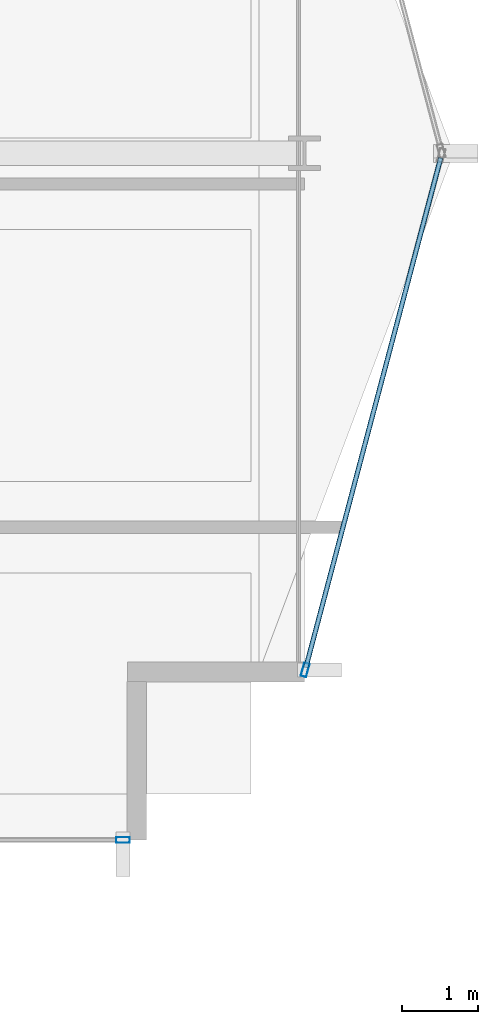
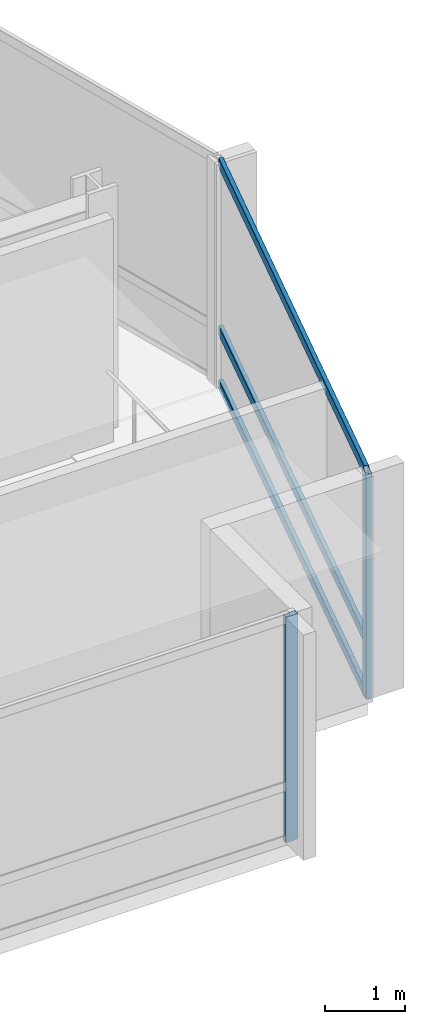
# One storey, part 11 of 29: 5 members, 2 elements without a shape of their own.
"""IFC4 building model written with IfcOpenShell, lengths in metres."""

from ifc_helpers import new_model, si_unit, direction, frame, origin, origin_2d, place, context, subcontext, project, spatial, hollow_rectangle, extrude, material, layer, layer_set, material_profile, profile_set, type_object, element, aggregate, save


model = new_model("IFC4")

# Units and contexts
model_context = context("Model", 3, precision=1e-05, world=origin(), true_north=direction((0.0, 1.0)))
body_context = subcontext(model_context, "Body", "Model", "MODEL_VIEW")
ifc_project = project(units=[si_unit("LENGTHUNIT", "METRE"), si_unit("AREAUNIT", "SQUARE_METRE"), si_unit("VOLUMEUNIT", "CUBIC_METRE"), si_unit("PLANEANGLEUNIT", "RADIAN"), si_unit("MASSUNIT", "GRAM", prefix="KILO")], contexts=[model_context])

# Site, building, storey
site_placement = place(None, origin())
site = spatial("IfcSite", under=ifc_project, at=site_placement, CompositionType="ELEMENT")
building_placement = place(site_placement, origin())
building = spatial("IfcBuilding", under=site, at=building_placement, Name="Solvaryn Broadcast Tower", CompositionType="ELEMENT")
storey_placement = place(building_placement, frame((0.0, 0.0, 124.800048828125)))
storey = spatial("IfcBuildingStorey", under=building, at=storey_placement, Name="L30", CompositionType="ELEMENT", Elevation=124.800048828125)

# Curtain wall, member
ifc_material_1 = material(Name="Aluminium and Terracotta Unitised Curtain Wall", Category="masonry")
ifc_layer = layer(ifc_material_1, 0.199951171875)
ifc_layer_set = layer_set([ifc_layer], Name="CW-SYS2-LOWMID")
curtain_wall_type = type_object("IfcCurtainWallType", Name="CW-SYS2-LOWMID", PredefinedType="NOTDEFINED", material=ifc_layer_set)
curtain_wall_1_placement = place(storey_placement, origin())
curtain_wall_1 = element("IfcCurtainWall", 1, at=curtain_wall_1_placement, inside=storey, type_object=curtain_wall_type, Name="L30 Curtain Wall S2", PredefinedType="NOTDEFINED")
ifc_material_2 = material(Name="Anodised Aluminium 6063-T6", Category="aluminium")
ifc_material_profile_1 = material_profile(ifc_material_2, hollow_rectangle(XDim=0.074951171875, YDim=0.179931640625, WallThickness=0.00390625, InnerFilletRadius=0.00390625, OuterFilletRadius=0.008056640625, at=origin_2d()))
ifc_profile_set_1 = profile_set([ifc_material_profile_1], Name="Anodised Aluminium 6063-T6")
member_type_1 = type_object("IfcMemberType", Name="CW-MUL-180", PredefinedType="MULLION", material=ifc_profile_set_1)
member_1_placement = place(storey_placement, frame((51.6201171875, 9.0, 0.0), z_axis=(0.0, 0.0, 1.0), x_axis=(0.0, 1.0, 0.0)))
member_1 = element("IfcMember", 2, at=member_1_placement, type_object=member_type_1, Name="CWS2 mullion 2", PredefinedType="MULLION", context=body_context, shape_type="SweptSolid", body=[
    extrude(hollow_rectangle(XDim=0.074951171875, YDim=0.179931640625, WallThickness=0.00390625, InnerFilletRadius=0.00390625, OuterFilletRadius=0.008056640625, at=origin_2d()), origin(), (0.0, 0.0, 1.0), 3.419921875),
])
aggregate(curtain_wall_1, [member_1])

# Curtain wall, members
curtain_wall_2_placement = place(storey_placement, origin())
curtain_wall_2 = element("IfcCurtainWall", 3, at=curtain_wall_2_placement, inside=storey, type_object=curtain_wall_type, Name="L30 Curtain Wall ET2", PredefinedType="NOTDEFINED")
member_2_placement = place(storey_placement, frame((54.007568359375, 11.22900390625, 0.0), z_axis=(0.0, 0.0, 1.0), x_axis=(0.966705227863, -0.25589256031, 0.0)))
member_2 = element("IfcMember", 4, at=member_2_placement, type_object=member_type_1, Name="CWS2 mullion 2", PredefinedType="MULLION", context=body_context, shape_type="SweptSolid", body=[
    extrude(hollow_rectangle(XDim=0.074951171875, YDim=0.179931640625, WallThickness=0.00390625, InnerFilletRadius=0.00390625, OuterFilletRadius=0.008056640625, at=origin_2d()), origin(), (0.0, 0.0, 1.0), 3.419921875),
])
ifc_material_3 = material(Name="Anodised Aluminium 6063-T6", Category="aluminium")
ifc_material_profile_2 = material_profile(ifc_material_3, hollow_rectangle(XDim=0.06494140625, YDim=0.14990234375, WallThickness=0.00390625, InnerFilletRadius=0.00390625, OuterFilletRadius=0.008056640625, at=origin_2d()))
ifc_profile_set_2 = profile_set([ifc_material_profile_2], Name="Anodised Aluminium 6063-T6")
member_type_2 = type_object("IfcMemberType", Name="CW-TRN-150", PredefinedType="USERDEFINED", material=ifc_profile_set_2)
member_3_placement = place(storey_placement, frame((55.78466796875, 17.94189453125, 0.030029296875), z_axis=(-0.255897413051, -0.966703943301, 0.0), x_axis=(0.966703943301, -0.255897413051, 0.0)))
member_3 = element("IfcMember", 5, at=member_3_placement, type_object=member_type_2, Name="CWS2 transom 1.1", ObjectType="TRANSOM", PredefinedType="USERDEFINED", context=body_context, shape_type="SweptSolid", body=[
    extrude(hollow_rectangle(XDim=0.06494140625, YDim=0.14990234375, WallThickness=0.00390625, InnerFilletRadius=0.00390625, OuterFilletRadius=0.008056640625, at=origin_2d()), origin(), (0.0, 0.0, 1.0), 6.9140625),
])
member_4_placement = place(storey_placement, frame((55.78466796875, 17.94189453125, 0.849853515625), z_axis=(-0.255897413051, -0.966703943301, 0.0), x_axis=(0.966703943301, -0.255897413051, 0.0)))
member_4 = element("IfcMember", 6, at=member_4_placement, type_object=member_type_2, Name="CWS2 transom 1.2", ObjectType="TRANSOM", PredefinedType="USERDEFINED", context=body_context, shape_type="SweptSolid", body=[
    extrude(hollow_rectangle(XDim=0.06494140625, YDim=0.14990234375, WallThickness=0.00390625, InnerFilletRadius=0.00390625, OuterFilletRadius=0.008056640625, at=origin_2d()), origin(), (0.0, 0.0, 1.0), 6.9140625),
])
member_5_placement = place(storey_placement, frame((55.78466796875, 17.94189453125, 3.389892578125), z_axis=(-0.255897413051, -0.966703943301, 0.0), x_axis=(0.966703943301, -0.255897413051, 0.0)))
member_5 = element("IfcMember", 7, at=member_5_placement, type_object=member_type_2, Name="CWS2 transom 1.3", ObjectType="TRANSOM", PredefinedType="USERDEFINED", context=body_context, shape_type="SweptSolid", body=[
    extrude(hollow_rectangle(XDim=0.06494140625, YDim=0.14990234375, WallThickness=0.00390625, InnerFilletRadius=0.00390625, OuterFilletRadius=0.008056640625, at=origin_2d()), origin(), (0.0, 0.0, 1.0), 6.9140625),
])
aggregate(curtain_wall_2, [member_2, member_3, member_4, member_5])

save(model, "model.ifc")
